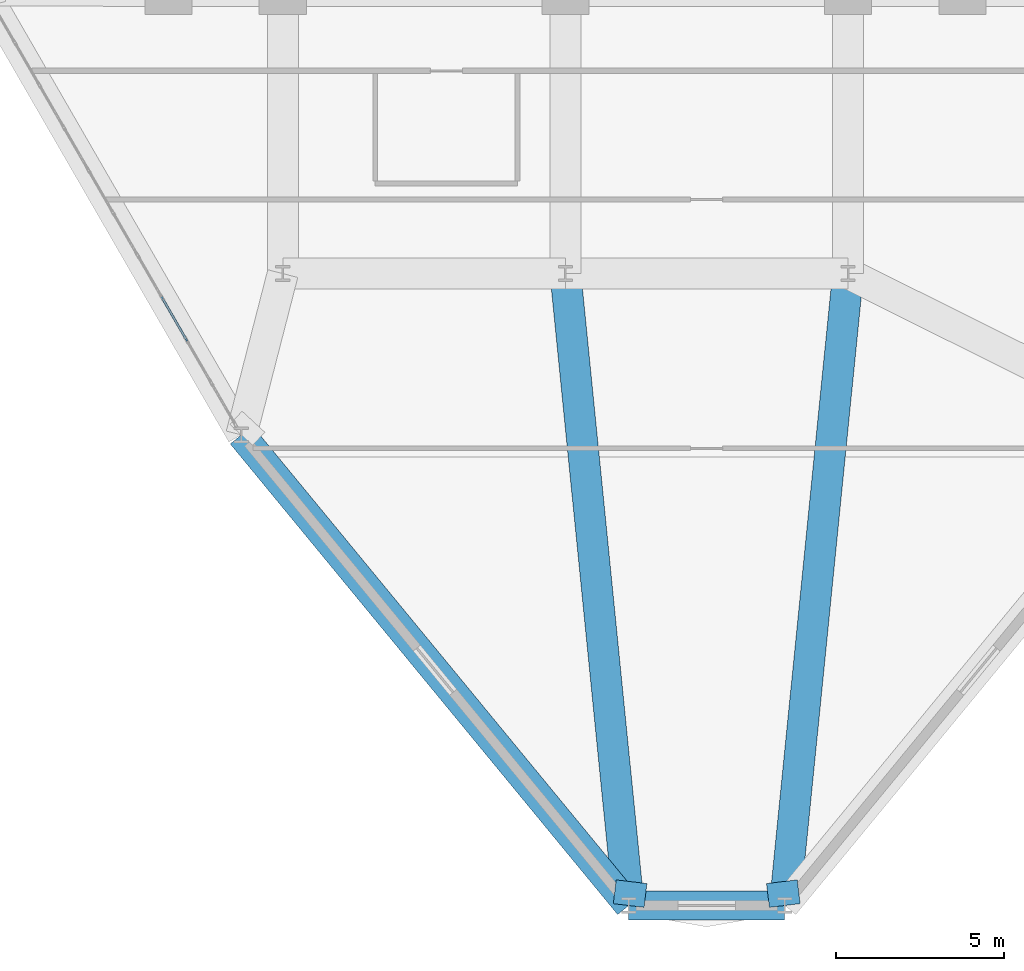
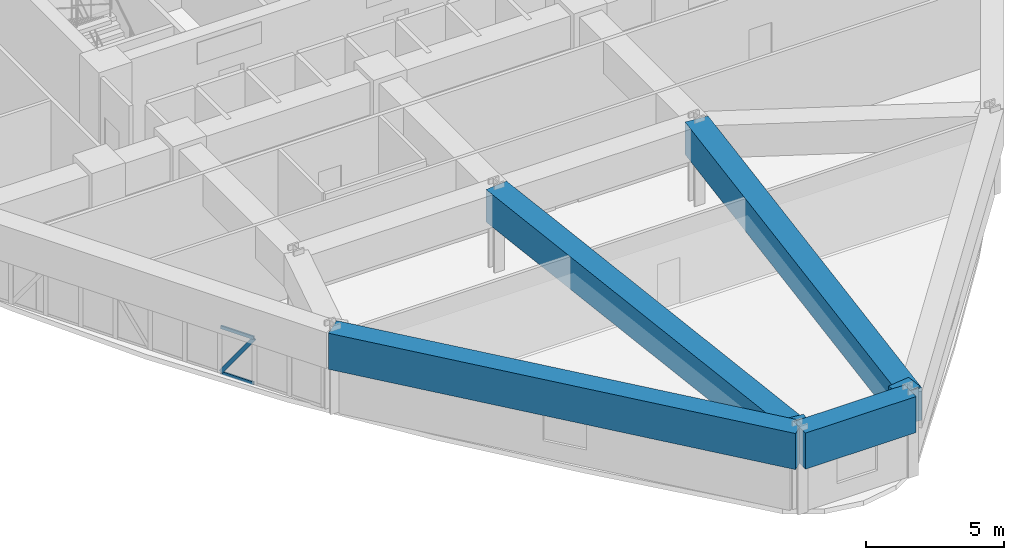
# One storey, part 3 of 18: 6 beams, 3 members, 1 element without a shape of its own.
"""IFC4 building model written with IfcOpenShell, lengths in metres."""

from ifc_helpers import new_model, si_unit, derived_unit, direction, frame, origin, origin_2d, place, context, subcontext, project, spatial, rectangle, hollow_rectangle, extrude, source, transform, mapped, material, layer, layer_set, material_profile, profile_set, type_object, element, aggregate, save


model = new_model("IFC4")

# Units and contexts
model_context = context("Model", 3, precision=1e-05, world=origin(), true_north=direction((0.0, 1.0)))
body_context = subcontext(model_context, "Body", "Model", "MODEL_VIEW")
ifc_project = project(units=[si_unit("LENGTHUNIT", "METRE"), si_unit("AREAUNIT", "SQUARE_METRE"), si_unit("VOLUMEUNIT", "CUBIC_METRE"), si_unit("PLANEANGLEUNIT", "RADIAN"), si_unit("MASSUNIT", "GRAM", prefix="KILO"), derived_unit("THERMALTRANSMITTANCEUNIT", [(si_unit("POWERUNIT", "WATT"), 1), (si_unit("LENGTHUNIT", "METRE"), -2), (si_unit("THERMODYNAMICTEMPERATUREUNIT", "KELVIN"), -1)])], contexts=[model_context])

# Site, building, storey
site_placement = place(None, origin())
site = spatial("IfcSite", under=ifc_project, at=site_placement, CompositionType="ELEMENT")
building_placement = place(site_placement, origin())
building = spatial("IfcBuilding", under=site, at=building_placement, Name="Korsvarv Bourse and Concert Hall", CompositionType="ELEMENT")
storey_placement = place(building_placement, frame((0.0, 0.0, 71.699951171875)))
storey = spatial("IfcBuildingStorey", under=building, at=storey_placement, Name="L17", CompositionType="ELEMENT", Elevation=71.699951171875)

# Beams
ifc_material_1 = material(Name="Concrete C55/67", Category="concrete")
ifc_material_profile_1 = material_profile(ifc_material_1, rectangle(XDim=0.85009765625, YDim=1.60009765625, at=origin_2d()), Name="RC-BM 850x1600")
ifc_profile_set_1 = profile_set([ifc_material_profile_1], Name="Concrete C55/67")
beam_type_1 = type_object("IfcBeamType", Name="BM-TR1B", PredefinedType="BEAM", material=ifc_profile_set_1)
shared_shape_1 = source(origin(), body_context, "Body", "SweptSolid", [
    extrude(rectangle(XDim=0.85009765625, YDim=1.60009765625, at=origin_2d()), origin(), (0.0, 0.0, 1.0), 4.637939453125),
])
beam_1_placement = place(storey_placement, frame((37.881103515625, 5.218994140625, 2.880126953125), z_axis=(1.0, 0.0, 0.0), x_axis=(0.0, 1.0, 0.0)))
element("IfcBeam", 1, at=beam_1_placement, inside=storey, type_object=beam_type_1, Name="L17 beam B-TR2", PredefinedType="BEAM", context=body_context, shape_type="MappedRepresentation", body=[
    mapped(shared_shape_1, transform((0.0, 0.0, 0.0), scale=1.0)),
])
shared_shape_2 = source(origin(), body_context, "Body", "SweptSolid", [
    extrude(rectangle(XDim=0.85009765625, YDim=1.60009765625, at=origin_2d()), origin(), (0.0, 0.0, 1.0), 18.117431640625),
])
beam_2_placement = place(storey_placement, frame((26.36669921875, 19.206787109375, 2.880126953125), z_axis=(0.635544282578, -0.772064417573, 0.0), x_axis=(0.772064417573, 0.635544282578, 0.0)))
element("IfcBeam", 2, at=beam_2_placement, inside=storey, type_object=beam_type_1, Name="L17 beam B-TR2", PredefinedType="BEAM", context=body_context, shape_type="MappedRepresentation", body=[
    mapped(shared_shape_2, transform((0.0, 0.0, 0.0), scale=1.0)),
])
ifc_material_2 = material(Name="Concrete C50/60", Category="concrete")
ifc_material_profile_2 = material_profile(ifc_material_2, rectangle(XDim=0.919921875, YDim=1.43994140625, at=origin_2d()), Name="RC-BM 920x1440")
ifc_profile_set_2 = profile_set([ifc_material_profile_2], Name="Concrete C50/60")
beam_type_2 = type_object("IfcBeamType", Name="BM-TR-144", PredefinedType="BEAM", material=ifc_profile_set_2)
shared_shape_3 = source(origin(), body_context, "Body", "SweptSolid", [
    extrude(rectangle(XDim=0.919921875, YDim=1.43994140625, at=origin_2d()), origin(), (0.0, 0.0, 1.0), 18.875),
])
for number, where, z_axis, x_axis, name in (
    (3, (37.881103515625, 5.218994140625, 2.9599609375), (-0.09966123838, 0.995021425681, 0.0), (-0.995021425681, -0.09966123838, 0.0), "L17 beam B-TR4"),
    (4, (42.51904296875, 5.218994140625, 2.9599609375), (0.099648432208, 0.995022708263, 0.0), (-0.995022708263, 0.099648432208, 0.0), "L17 beam B-TR4"),
):
    element("IfcBeam", number, at=place(storey_placement, frame(where, z_axis=z_axis, x_axis=x_axis)), inside=storey, type_object=beam_type_2, Name=name, PredefinedType="BEAM", context=body_context, shape_type="MappedRepresentation", body=[
        mapped(shared_shape_3, transform((0.0, 0.0, 0.0), scale=1.0)),
    ])
shared_shape_4 = source(origin(), body_context, "Body", "SweptSolid", [
    extrude(rectangle(XDim=0.919921875, YDim=1.43994140625, at=origin_2d()), origin(), (0.0, 0.0, 1.0), 0.7119140625),
])
for number, where, z_axis, x_axis, name in (
    (5, (37.881103515625, 5.218994140625, 2.9599609375), (0.11900997967, 0.992893058058, 0.0), (-0.992893058058, 0.11900997967, 0.0), "L17 beam B-TR4"),
    (6, (42.51904296875, 5.218994140625, 2.9599609375), (-0.119348069604, 0.992852475588, 0.0), (-0.992852475588, -0.119348069604, 0.0), "L17 beam B-TR4"),
):
    element("IfcBeam", number, at=place(storey_placement, frame(where, z_axis=z_axis, x_axis=x_axis)), inside=storey, type_object=beam_type_2, Name=name, PredefinedType="BEAM", context=body_context, shape_type="MappedRepresentation", body=[
        mapped(shared_shape_4, transform((0.0, 0.0, 0.0), scale=1.0)),
    ])

# Curtain wall, members
ifc_material_3 = material(Name="Anodised aluminium and triple low-E glazing", Category="glass")
ifc_layer = layer(ifc_material_3, 0.219970703125)
ifc_layer_set = layer_set([ifc_layer], Name="Anodised aluminium and triple low-E glazing")
curtain_wall_type = type_object("IfcCurtainWallType", Name="CW-SYS-1", PredefinedType="NOTDEFINED", material=ifc_layer_set)
curtain_wall_placement = place(storey_placement, origin())
curtain_wall = element("IfcCurtainWall", 7, at=curtain_wall_placement, inside=storey, type_object=curtain_wall_type, Name="L17 CW1 curtain wall CW-L17-F07", PredefinedType="NOTDEFINED")
ifc_material_4 = material(Name="Extruded aluminium EN AW-6063 T66", Category="aluminium")
ifc_material_profile_3 = material_profile(ifc_material_4, hollow_rectangle(XDim=0.06494140625, YDim=0.139892578125, WallThickness=0.00390625, at=origin_2d()), Name="ALU-T 65x140")
ifc_profile_set_3 = profile_set([ifc_material_profile_3], Name="Extruded aluminium EN AW-6063 T66")
member_type_1 = type_object("IfcMemberType", Name="CWT-140", PredefinedType="USERDEFINED", material=ifc_profile_set_3)
shared_shape_5 = source(origin(), body_context, "Body", "SweptSolid", [
    extrude(hollow_rectangle(XDim=0.06494140625, YDim=0.139892578125, WallThickness=0.00390625, at=origin_2d()), origin(), (0.0, 0.0, 1.0), 1.388916015625),
])
member_1_placement = place(storey_placement, frame((24.02978515625, 23.254150390625, 0.032470703125), z_axis=(0.500052099036, -0.865995322302, 0.0), x_axis=(0.865995322302, 0.500052099036, 0.0)))
member_1 = element("IfcMember", 8, at=member_1_placement, type_object=member_type_1, Name="CW1 transom 8.1", ObjectType="TRANSOM", PredefinedType="USERDEFINED", context=body_context, shape_type="MappedRepresentation", body=[
    mapped(shared_shape_5, transform((0.0, 0.0, 0.0), scale=1.0)),
])
member_2_placement = place(storey_placement, frame((24.02978515625, 23.254150390625, 2.047607421875), z_axis=(0.500052099036, -0.865995322302, 0.0), x_axis=(0.865995322302, 0.500052099036, 0.0)))
member_2 = element("IfcMember", 9, at=member_2_placement, type_object=member_type_1, Name="CW1 transom 8.2", ObjectType="TRANSOM", PredefinedType="USERDEFINED", context=body_context, shape_type="MappedRepresentation", body=[
    mapped(shared_shape_5, transform((0.0, 0.0, 0.0), scale=1.0)),
])
ifc_material_profile_4 = material_profile(ifc_material_4, hollow_rectangle(XDim=0.06494140625, YDim=0.1650390625, WallThickness=0.0048828125, at=origin_2d()), Name="ALU-M 65x165")
ifc_profile_set_4 = profile_set([ifc_material_profile_4], Name="Extruded aluminium EN AW-6063 T66")
member_type_2 = type_object("IfcMemberType", Name="CWM-165", PredefinedType="MULLION", material=ifc_profile_set_4)
shared_shape_6 = source(origin(), body_context, "Body", "SweptSolid", [
    extrude(hollow_rectangle(XDim=0.06494140625, YDim=0.1650390625, WallThickness=0.0048828125, at=origin_2d()), origin(), (0.0, 0.0, 1.0), 2.394287109375),
])
member_3_placement = place(storey_placement, frame((24.02978515625, 23.254150390625, 0.06494140625), z_axis=(0.290098533415, -0.502395597235, 0.814519186262), x_axis=(0.865995322302, 0.500052099036, 0.0)))
member_3 = element("IfcMember", 10, at=member_3_placement, type_object=member_type_2, Name="CW1 diagonal mullion 8", PredefinedType="MULLION", context=body_context, shape_type="MappedRepresentation", body=[
    mapped(shared_shape_6, transform((0.0, 0.0, 0.0), scale=1.0)),
])
aggregate(curtain_wall, [member_1, member_2, member_3])

save(model, "model.ifc")
